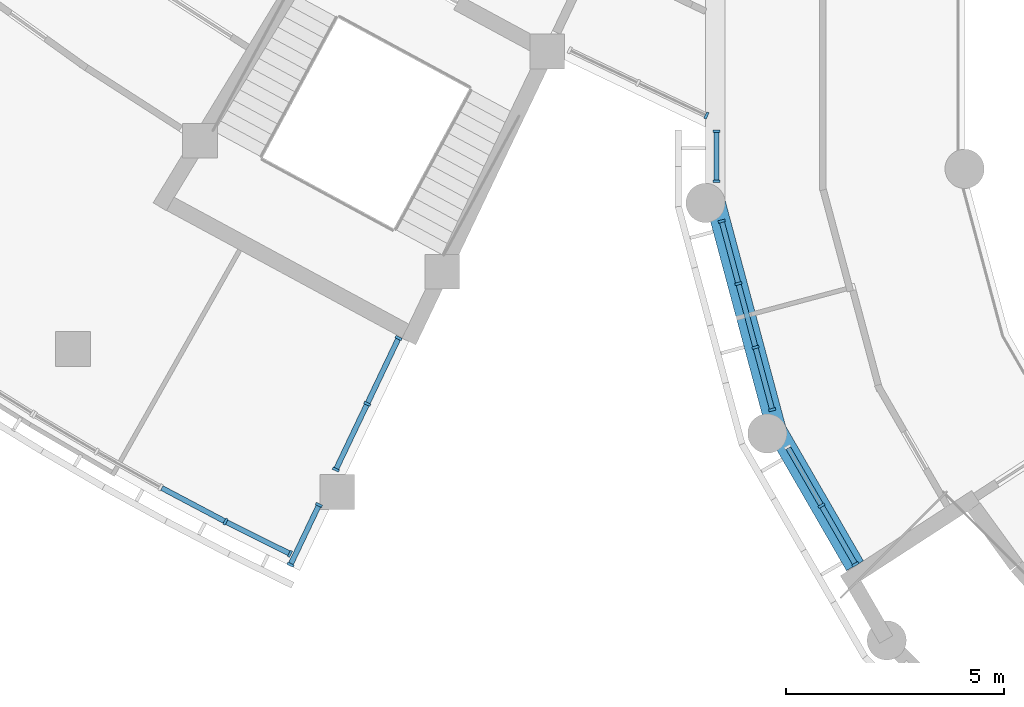
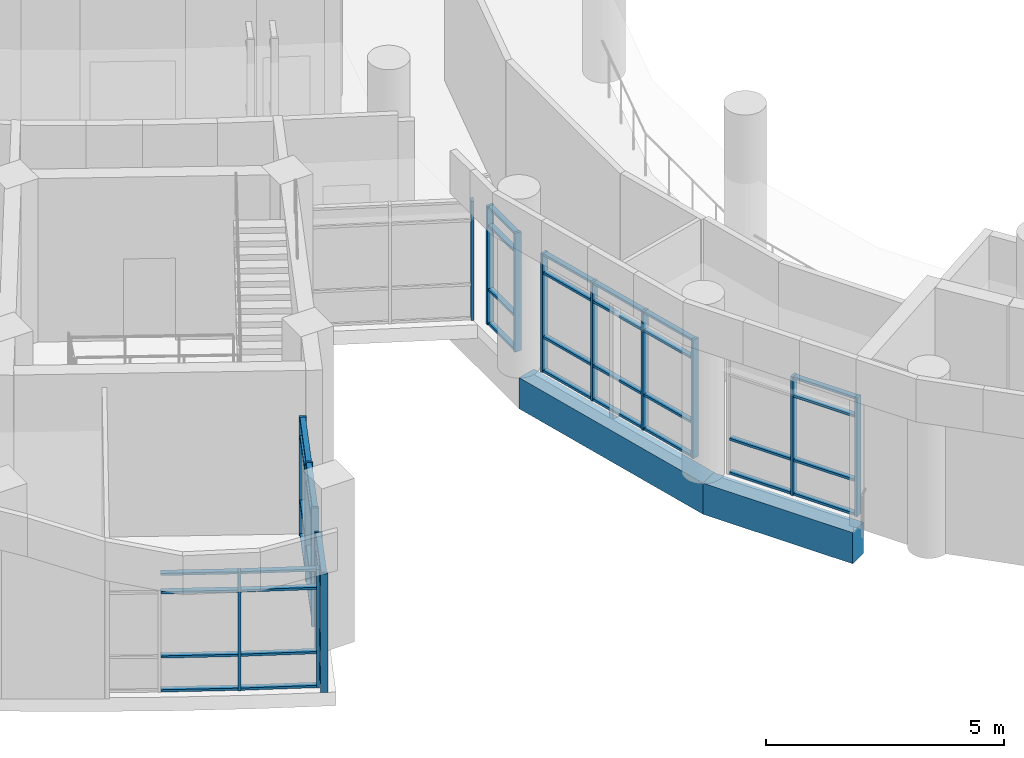
# One storey, part 6 of 109: 58 members, 2 beams, 7 elements without a shape of their own.
"""IFC4 building model written with IfcOpenShell, lengths in metres."""

from ifc_helpers import new_model, si_unit, direction, frame, origin, origin_2d, place, context, subcontext, project, spatial, rectangle, extrude, material, material_profile, profile_set, type_object, element, aggregate, save


model = new_model("IFC4")

# Units and contexts
model_context = context("Model", 3, precision=1e-05, world=origin(), true_north=direction((0.0, 1.0)))
body_context = subcontext(model_context, "Body", "Model", "MODEL_VIEW")
ifc_project = project(units=[si_unit("LENGTHUNIT", "METRE"), si_unit("AREAUNIT", "SQUARE_METRE"), si_unit("VOLUMEUNIT", "CUBIC_METRE"), si_unit("PLANEANGLEUNIT", "RADIAN"), si_unit("MASSUNIT", "GRAM", prefix="KILO")], contexts=[model_context])

# Site, building, storey
site_placement = place(None, origin())
site = spatial("IfcSite", under=ifc_project, at=site_placement, CompositionType="ELEMENT")
building_placement = place(site_placement, origin())
building = spatial("IfcBuilding", under=site, at=building_placement, Name="Bougainvillea Quay General Hospital", CompositionType="ELEMENT")
storey_placement = place(building_placement, frame((0.0, 0.0, 12.60009765625)))
storey = spatial("IfcBuildingStorey", under=building, at=storey_placement, Name="L02", CompositionType="ELEMENT", Elevation=12.60009765625)

# Curtain wall, members
ifc_material_1 = material(Name="Aluminium curtain wall system, powder-coated glazed", Category="aluminium")
curtain_wall_type_1 = type_object("IfcCurtainWallType", Name="Unitised curtain wall CW-2100", PredefinedType="NOTDEFINED", material=ifc_material_1)
curtain_wall_1_placement = place(storey_placement, origin())
curtain_wall_1 = element("IfcCurtainWall", 1, at=curtain_wall_1_placement, inside=storey, type_object=curtain_wall_type_1, Name="CW-W01 a01b0", PredefinedType="NOTDEFINED")
ifc_material_2 = material(Name="Aluminium mullion, powder-coated charcoal", Category="aluminium")
ifc_material_profile_1 = material_profile(ifc_material_2, rectangle(XDim=0.159912109375, YDim=0.06005859375, at=origin_2d()))
ifc_profile_set_1 = profile_set([ifc_material_profile_1], Name="Aluminium mullion, powder-coated charcoal")
member_type_1 = type_object("IfcMemberType", Name="Curtain wall mullion 160x60", PredefinedType="MULLION", material=ifc_profile_set_1)
member_1_placement = place(storey_placement, frame((78.83935546875, 63.204833984375, 0.0), z_axis=(0.0, 0.0, 1.0), x_axis=(-0.445731386172, -0.895166761772, 0.0)))
member_1 = element("IfcMember", 2, at=member_1_placement, type_object=member_type_1, Name="CW-W01 mullion 1", PredefinedType="MULLION", context=body_context, shape_type="SweptSolid", body=[
    extrude(rectangle(XDim=0.159912109375, YDim=0.06005859375, at=origin_2d()), origin(), (0.0, 0.0, 1.0), 3.0498046875),
])
member_2_placement = place(storey_placement, frame((77.358642578125, 63.94189453125, 0.0), z_axis=(0.0, 0.0, 1.0), x_axis=(-0.456505398476, -0.889720642203, 0.0)))
member_2 = element("IfcMember", 3, at=member_2_placement, type_object=member_type_1, Name="CW-W01 mullion 2", PredefinedType="MULLION", context=body_context, shape_type="SweptSolid", body=[
    extrude(rectangle(XDim=0.159912109375, YDim=0.06005859375, at=origin_2d()), origin(), (0.0, 0.0, 1.0), 3.0498046875),
])

curtain_wall_type_2 = type_object("IfcCurtainWallType", Name="Unitised curtain wall CW-1580", PredefinedType="NOTDEFINED", material=ifc_material_1)
curtain_wall_2_placement = place(storey_placement, origin())
curtain_wall_2 = element("IfcCurtainWall", 4, at=curtain_wall_2_placement, inside=storey, type_object=curtain_wall_type_2, Name="CW-AE 00", PredefinedType="NOTDEFINED")
member_3_placement = place(storey_placement, frame((78.851318359375, 62.95361328125, 0.0), z_axis=(0.0, 0.0, 1.0), x_axis=(-0.902576055431, 0.430530445105, 0.0)))
member_3 = element("IfcMember", 5, at=member_3_placement, type_object=member_type_1, Name="CW-AE mullion 1", PredefinedType="MULLION", context=body_context, shape_type="SweptSolid", body=[
    extrude(rectangle(XDim=0.159912109375, YDim=0.06005859375, at=origin_2d()), origin(), (0.0, 0.0, 1.0), 3.0498046875),
])
member_4_placement = place(storey_placement, frame((79.505615234375, 64.325439453125, 0.0), z_axis=(0.0, 0.0, 1.0), x_axis=(-0.902576055431, 0.430530445105, 0.0)))
member_4 = element("IfcMember", 6, at=member_4_placement, type_object=member_type_1, Name="CW-AE mullion 2", PredefinedType="MULLION", context=body_context, shape_type="SweptSolid", body=[
    extrude(rectangle(XDim=0.159912109375, YDim=0.06005859375, at=origin_2d()), origin(), (0.0, 0.0, 1.0), 3.0498046875),
])

curtain_wall_type_3 = type_object("IfcCurtainWallType", Name="Unitised curtain wall CW-1703", PredefinedType="NOTDEFINED", material=ifc_material_1)
curtain_wall_3_placement = place(storey_placement, origin())
curtain_wall_3 = element("IfcCurtainWall", 7, at=curtain_wall_3_placement, inside=storey, type_object=curtain_wall_type_3, Name="CW-AE 01", PredefinedType="NOTDEFINED")
member_5_placement = place(storey_placement, frame((79.89306640625, 65.1376953125, 0.0), z_axis=(0.0, 0.0, 1.0), x_axis=(-0.902576055431, 0.430530445105, 0.0)))
member_5 = element("IfcMember", 8, at=member_5_placement, type_object=member_type_1, Name="CW-AE mullion 1", PredefinedType="MULLION", context=body_context, shape_type="SweptSolid", body=[
    extrude(rectangle(XDim=0.159912109375, YDim=0.06005859375, at=origin_2d()), origin(), (0.0, 0.0, 1.0), 3.0498046875),
])
member_6_placement = place(storey_placement, frame((80.61328125, 66.647705078125, 0.0), z_axis=(0.0, 0.0, 1.0), x_axis=(-0.902576055431, 0.430530445105, 0.0)))
member_6 = element("IfcMember", 9, at=member_6_placement, type_object=member_type_1, Name="CW-AE mullion 2", PredefinedType="MULLION", context=body_context, shape_type="SweptSolid", body=[
    extrude(rectangle(XDim=0.159912109375, YDim=0.06005859375, at=origin_2d()), origin(), (0.0, 0.0, 1.0), 3.0498046875),
])
member_7_placement = place(storey_placement, frame((81.33349609375, 68.157470703125, 0.0), z_axis=(0.0, 0.0, 1.0), x_axis=(-0.902576055431, 0.430530445105, 0.0)))
member_7 = element("IfcMember", 10, at=member_7_placement, type_object=member_type_1, Name="CW-AE mullion 3", PredefinedType="MULLION", context=body_context, shape_type="SweptSolid", body=[
    extrude(rectangle(XDim=0.159912109375, YDim=0.06005859375, at=origin_2d()), origin(), (0.0, 0.0, 1.0), 3.0498046875),
])

# Curtain wall, member
curtain_wall_type_4 = type_object("IfcCurtainWallType", Name="Unitised curtain wall CW-1770", PredefinedType="NOTDEFINED", material=ifc_material_1)
curtain_wall_4_placement = place(storey_placement, origin())
curtain_wall_4 = element("IfcCurtainWall", 11, at=curtain_wall_4_placement, inside=storey, type_object=curtain_wall_type_4, Name="CW-AE 00", PredefinedType="NOTDEFINED")
member_8_placement = place(storey_placement, frame((88.400634765625, 73.267578125, 0.0), z_axis=(0.0, 0.0, 1.0), x_axis=(0.430463026068, 0.902608211345, 0.0)))
member_8 = element("IfcMember", 12, at=member_8_placement, type_object=member_type_1, Name="CW-AE mullion 3", PredefinedType="MULLION", context=body_context, shape_type="SweptSolid", body=[
    extrude(rectangle(XDim=0.159912109375, YDim=0.06005859375, at=origin_2d()), origin(), (0.0, 0.0, 1.0), 3.0498046875),
])
aggregate(curtain_wall_4, [member_8])

# Curtain wall, members
curtain_wall_type_5 = type_object("IfcCurtainWallType", Name="Unitised curtain wall CW-1211", PredefinedType="NOTDEFINED", material=ifc_material_1)
curtain_wall_5_placement = place(storey_placement, origin())
curtain_wall_5 = element("IfcCurtainWall", 13, at=curtain_wall_5_placement, inside=storey, type_object=curtain_wall_type_5, Name="CW-D 00", PredefinedType="NOTDEFINED")
member_9_placement = place(storey_placement, frame((88.6298828125, 72.909912109375, 0.0), z_axis=(0.0, 0.0, 1.0), x_axis=(1.0, 0.0, 0.0)))
member_9 = element("IfcMember", 14, at=member_9_placement, type_object=member_type_1, Name="CW-D mullion 1", PredefinedType="MULLION", context=body_context, shape_type="SweptSolid", body=[
    extrude(rectangle(XDim=0.159912109375, YDim=0.06005859375, at=origin_2d()), origin(), (0.0, 0.0, 1.0), 3.0498046875),
])
member_10_placement = place(storey_placement, frame((88.6298828125, 71.759033203125, 0.0), z_axis=(0.0, 0.0, 1.0), x_axis=(1.0, 0.0, 0.0)))
member_10 = element("IfcMember", 15, at=member_10_placement, type_object=member_type_1, Name="CW-D mullion 2", PredefinedType="MULLION", context=body_context, shape_type="SweptSolid", body=[
    extrude(rectangle(XDim=0.159912109375, YDim=0.06005859375, at=origin_2d()), origin(), (0.0, 0.0, 1.0), 3.0498046875),
])

curtain_wall_type_6 = type_object("IfcCurtainWallType", Name="Unitised curtain wall CW-1514", PredefinedType="NOTDEFINED", material=ifc_material_1)
curtain_wall_6_placement = place(storey_placement, origin())
curtain_wall_6 = element("IfcCurtainWall", 16, at=curtain_wall_6_placement, inside=storey, type_object=curtain_wall_type_6, Name="CW-D 00", PredefinedType="NOTDEFINED")
member_11_placement = place(storey_placement, frame((88.7509765625, 70.8408203125, 0.0), z_axis=(0.0, 0.0, 1.0), x_axis=(0.965916292974, 0.258854621298, 0.0)))
member_11 = element("IfcMember", 17, at=member_11_placement, type_object=member_type_1, Name="CW-D mullion 1", PredefinedType="MULLION", context=body_context, shape_type="SweptSolid", body=[
    extrude(rectangle(XDim=0.159912109375, YDim=0.06005859375, at=origin_2d()), origin(), (0.0, 0.0, 1.0), 3.0498046875),
])
member_12_placement = place(storey_placement, frame((89.135009765625, 69.407470703125, 0.0), z_axis=(0.0, 0.0, 1.0), x_axis=(0.965916292974, 0.258854621298, 0.0)))
member_12 = element("IfcMember", 18, at=member_12_placement, type_object=member_type_1, Name="CW-D mullion 2", PredefinedType="MULLION", context=body_context, shape_type="SweptSolid", body=[
    extrude(rectangle(XDim=0.159912109375, YDim=0.06005859375, at=origin_2d()), origin(), (0.0, 0.0, 1.0), 3.0498046875),
])
member_13_placement = place(storey_placement, frame((89.52685546875, 67.945068359375, 0.0), z_axis=(0.0, 0.0, 1.0), x_axis=(0.965916292974, 0.258854621298, 0.0)))
member_13 = element("IfcMember", 19, at=member_13_placement, type_object=member_type_1, Name="CW-D mullion 3", PredefinedType="MULLION", context=body_context, shape_type="SweptSolid", body=[
    extrude(rectangle(XDim=0.159912109375, YDim=0.06005859375, at=origin_2d()), origin(), (0.0, 0.0, 1.0), 3.0498046875),
])
member_14_placement = place(storey_placement, frame((89.9111328125, 66.51171875, 0.0), z_axis=(0.0, 0.0, 1.0), x_axis=(0.965916292974, 0.258854621298, 0.0)))
member_14 = element("IfcMember", 20, at=member_14_placement, type_object=member_type_1, Name="CW-D mullion 4", PredefinedType="MULLION", context=body_context, shape_type="SweptSolid", body=[
    extrude(rectangle(XDim=0.159912109375, YDim=0.06005859375, at=origin_2d()), origin(), (0.0, 0.0, 1.0), 3.0498046875),
])

curtain_wall_type_7 = type_object("IfcCurtainWallType", Name="Unitised curtain wall CW-1585", PredefinedType="NOTDEFINED", material=ifc_material_1)
curtain_wall_7_placement = place(storey_placement, origin())
curtain_wall_7 = element("IfcCurtainWall", 21, at=curtain_wall_7_placement, inside=storey, type_object=curtain_wall_type_7, Name="CW-D 00", PredefinedType="NOTDEFINED")
member_15_placement = place(storey_placement, frame((91.04296875, 64.309326171875, 0.0), z_axis=(0.0, 0.0, 1.0), x_axis=(0.866045865692, 0.499964557262, 0.0)))
member_15 = element("IfcMember", 22, at=member_15_placement, type_object=member_type_1, Name="CW-D mullion 2", PredefinedType="MULLION", context=body_context, shape_type="SweptSolid", body=[
    extrude(rectangle(XDim=0.159912109375, YDim=0.06005859375, at=origin_2d()), origin(), (0.0, 0.0, 1.0), 3.0498046875),
])
member_16_placement = place(storey_placement, frame((91.8203125, 62.962646484375, 0.0), z_axis=(0.0, 0.0, 1.0), x_axis=(0.866045865692, 0.499964557262, 0.0)))
member_16 = element("IfcMember", 23, at=member_16_placement, type_object=member_type_1, Name="CW-D mullion 3", PredefinedType="MULLION", context=body_context, shape_type="SweptSolid", body=[
    extrude(rectangle(XDim=0.159912109375, YDim=0.06005859375, at=origin_2d()), origin(), (0.0, 0.0, 1.0), 3.0498046875),
])

# Member
ifc_material_3 = material(Name="Aluminium transom, powder-coated charcoal", Category="aluminium")
ifc_material_profile_2 = material_profile(ifc_material_3, rectangle(XDim=0.1201171875, YDim=0.06005859375, at=origin_2d()))
ifc_profile_set_2 = profile_set([ifc_material_profile_2], Name="Aluminium transom, powder-coated charcoal")
member_type_2 = type_object("IfcMemberType", Name="Curtain wall transom 120x60", PredefinedType="USERDEFINED", material=ifc_profile_set_2)
member_17_placement = place(storey_placement, frame((78.8125, 63.218017578125, 0.02978515625), z_axis=(-0.895130546745, 0.445804109765, 0.0), x_axis=(-0.445804109765, -0.895130546745, 0.0)))
member_17 = element("IfcMember", 24, at=member_17_placement, type_object=member_type_2, Name="CW-W01 transom 1.1", ObjectType="TRANSOM", PredefinedType="USERDEFINED", context=body_context, shape_type="SweptSolid", body=[
    extrude(rectangle(XDim=0.1201171875, YDim=0.06005859375, at=origin_2d()), origin(), (0.0, 0.0, 1.0), 1.59423828125),
])

member_18_placement = place(storey_placement, frame((78.8125, 63.218017578125, 0.89990234375), z_axis=(-0.895130546745, 0.445804109765, 0.0), x_axis=(-0.445804109765, -0.895130546745, 0.0)))
member_18 = element("IfcMember", 25, at=member_18_placement, type_object=member_type_2, Name="CW-W01 transom 1.2", ObjectType="TRANSOM", PredefinedType="USERDEFINED", context=body_context, shape_type="SweptSolid", body=[
    extrude(rectangle(XDim=0.1201171875, YDim=0.06005859375, at=origin_2d()), origin(), (0.0, 0.0, 1.0), 1.59423828125),
])

member_19_placement = place(storey_placement, frame((78.8125, 63.218017578125, 2.5498046875), z_axis=(-0.895130546745, 0.445804109765, 0.0), x_axis=(-0.445804109765, -0.895130546745, 0.0)))
member_19 = element("IfcMember", 26, at=member_19_placement, type_object=member_type_2, Name="CW-W01 transom 1.3", ObjectType="TRANSOM", PredefinedType="USERDEFINED", context=body_context, shape_type="SweptSolid", body=[
    extrude(rectangle(XDim=0.1201171875, YDim=0.06005859375, at=origin_2d()), origin(), (0.0, 0.0, 1.0), 1.59423828125),
])

member_20_placement = place(storey_placement, frame((78.8125, 63.218017578125, 3.02001953125), z_axis=(-0.895130546745, 0.445804109765, 0.0), x_axis=(-0.445804109765, -0.895130546745, 0.0)))
member_20 = element("IfcMember", 27, at=member_20_placement, type_object=member_type_2, Name="CW-W01 transom 1.4", ObjectType="TRANSOM", PredefinedType="USERDEFINED", context=body_context, shape_type="SweptSolid", body=[
    extrude(rectangle(XDim=0.1201171875, YDim=0.06005859375, at=origin_2d()), origin(), (0.0, 0.0, 1.0), 1.59423828125),
])

member_21_placement = place(storey_placement, frame((77.332275390625, 63.9560546875, 0.02978515625), z_axis=(-0.884160582564, 0.46718311639, 0.0), x_axis=(-0.46718311639, -0.884160582564, 0.0)))
member_21 = element("IfcMember", 28, at=member_21_placement, type_object=member_type_2, Name="CW-W01 transom 2.1", ObjectType="TRANSOM", PredefinedType="USERDEFINED", context=body_context, shape_type="SweptSolid", body=[
    extrude(rectangle(XDim=0.1201171875, YDim=0.06005859375, at=origin_2d()), origin(), (0.0, 0.0, 1.0), 1.624267578125),
])

member_22_placement = place(storey_placement, frame((77.332275390625, 63.9560546875, 0.89990234375), z_axis=(-0.884160582564, 0.46718311639, 0.0), x_axis=(-0.46718311639, -0.884160582564, 0.0)))
member_22 = element("IfcMember", 29, at=member_22_placement, type_object=member_type_2, Name="CW-W01 transom 2.2", ObjectType="TRANSOM", PredefinedType="USERDEFINED", context=body_context, shape_type="SweptSolid", body=[
    extrude(rectangle(XDim=0.1201171875, YDim=0.06005859375, at=origin_2d()), origin(), (0.0, 0.0, 1.0), 1.624267578125),
])

member_23_placement = place(storey_placement, frame((77.332275390625, 63.9560546875, 2.5498046875), z_axis=(-0.884160582564, 0.46718311639, 0.0), x_axis=(-0.46718311639, -0.884160582564, 0.0)))
member_23 = element("IfcMember", 30, at=member_23_placement, type_object=member_type_2, Name="CW-W01 transom 2.3", ObjectType="TRANSOM", PredefinedType="USERDEFINED", context=body_context, shape_type="SweptSolid", body=[
    extrude(rectangle(XDim=0.1201171875, YDim=0.06005859375, at=origin_2d()), origin(), (0.0, 0.0, 1.0), 1.624267578125),
])

member_24_placement = place(storey_placement, frame((77.332275390625, 63.9560546875, 3.02001953125), z_axis=(-0.884160582564, 0.46718311639, 0.0), x_axis=(-0.46718311639, -0.884160582564, 0.0)))
member_24 = element("IfcMember", 31, at=member_24_placement, type_object=member_type_2, Name="CW-W01 transom 2.4", ObjectType="TRANSOM", PredefinedType="USERDEFINED", context=body_context, shape_type="SweptSolid", body=[
    extrude(rectangle(XDim=0.1201171875, YDim=0.06005859375, at=origin_2d()), origin(), (0.0, 0.0, 1.0), 1.624267578125),
])

aggregate(curtain_wall_1, [member_1, member_2, member_17, member_18, member_19, member_20, member_21, member_22, member_23, member_24])

member_25_placement = place(storey_placement, frame((78.8642578125, 62.980712890625, 0.02978515625), z_axis=(0.430478813346, 0.902600682063, 0.0), x_axis=(-0.902600682063, 0.430478813346, 0.0)))
member_25 = element("IfcMember", 32, at=member_25_placement, type_object=member_type_2, Name="CW-AE transom 1.1", ObjectType="TRANSOM", PredefinedType="USERDEFINED", context=body_context, shape_type="SweptSolid", body=[
    extrude(rectangle(XDim=0.1201171875, YDim=0.06005859375, at=origin_2d()), origin(), (0.0, 0.0, 1.0), 1.459716796875),
])

member_26_placement = place(storey_placement, frame((78.8642578125, 62.980712890625, 0.89990234375), z_axis=(0.430478813346, 0.902600682063, 0.0), x_axis=(-0.902600682063, 0.430478813346, 0.0)))
member_26 = element("IfcMember", 33, at=member_26_placement, type_object=member_type_2, Name="CW-AE transom 1.2", ObjectType="TRANSOM", PredefinedType="USERDEFINED", context=body_context, shape_type="SweptSolid", body=[
    extrude(rectangle(XDim=0.1201171875, YDim=0.06005859375, at=origin_2d()), origin(), (0.0, 0.0, 1.0), 1.459716796875),
])

member_27_placement = place(storey_placement, frame((78.8642578125, 62.980712890625, 2.5498046875), z_axis=(0.430478813346, 0.902600682063, 0.0), x_axis=(-0.902600682063, 0.430478813346, 0.0)))
member_27 = element("IfcMember", 34, at=member_27_placement, type_object=member_type_2, Name="CW-AE transom 1.3", ObjectType="TRANSOM", PredefinedType="USERDEFINED", context=body_context, shape_type="SweptSolid", body=[
    extrude(rectangle(XDim=0.1201171875, YDim=0.06005859375, at=origin_2d()), origin(), (0.0, 0.0, 1.0), 1.459716796875),
])

member_28_placement = place(storey_placement, frame((78.8642578125, 62.980712890625, 3.02001953125), z_axis=(0.430478813346, 0.902600682063, 0.0), x_axis=(-0.902600682063, 0.430478813346, 0.0)))
member_28 = element("IfcMember", 35, at=member_28_placement, type_object=member_type_2, Name="CW-AE transom 1.4", ObjectType="TRANSOM", PredefinedType="USERDEFINED", context=body_context, shape_type="SweptSolid", body=[
    extrude(rectangle(XDim=0.1201171875, YDim=0.06005859375, at=origin_2d()), origin(), (0.0, 0.0, 1.0), 1.459716796875),
])

aggregate(curtain_wall_2, [member_3, member_4, member_25, member_26, member_27, member_28])

member_29_placement = place(storey_placement, frame((79.906005859375, 65.164794921875, 0.02978515625), z_axis=(0.430485805142, 0.902597347421, 0.0), x_axis=(-0.902597347421, 0.430485805142, 0.0)))
member_29 = element("IfcMember", 36, at=member_29_placement, type_object=member_type_2, Name="CW-AE transom 1.1", ObjectType="TRANSOM", PredefinedType="USERDEFINED", context=body_context, shape_type="SweptSolid", body=[
    extrude(rectangle(XDim=0.1201171875, YDim=0.06005859375, at=origin_2d()), origin(), (0.0, 0.0, 1.0), 1.61279296875),
])

member_30_placement = place(storey_placement, frame((79.906005859375, 65.164794921875, 0.89990234375), z_axis=(0.430485805142, 0.902597347421, 0.0), x_axis=(-0.902597347421, 0.430485805142, 0.0)))
member_30 = element("IfcMember", 37, at=member_30_placement, type_object=member_type_2, Name="CW-AE transom 1.2", ObjectType="TRANSOM", PredefinedType="USERDEFINED", context=body_context, shape_type="SweptSolid", body=[
    extrude(rectangle(XDim=0.1201171875, YDim=0.06005859375, at=origin_2d()), origin(), (0.0, 0.0, 1.0), 1.61279296875),
])

member_31_placement = place(storey_placement, frame((79.906005859375, 65.164794921875, 2.5498046875), z_axis=(0.430485805142, 0.902597347421, 0.0), x_axis=(-0.902597347421, 0.430485805142, 0.0)))
member_31 = element("IfcMember", 38, at=member_31_placement, type_object=member_type_2, Name="CW-AE transom 1.3", ObjectType="TRANSOM", PredefinedType="USERDEFINED", context=body_context, shape_type="SweptSolid", body=[
    extrude(rectangle(XDim=0.1201171875, YDim=0.06005859375, at=origin_2d()), origin(), (0.0, 0.0, 1.0), 1.61279296875),
])

member_32_placement = place(storey_placement, frame((79.906005859375, 65.164794921875, 3.02001953125), z_axis=(0.430485805142, 0.902597347421, 0.0), x_axis=(-0.902597347421, 0.430485805142, 0.0)))
member_32 = element("IfcMember", 39, at=member_32_placement, type_object=member_type_2, Name="CW-AE transom 1.4", ObjectType="TRANSOM", PredefinedType="USERDEFINED", context=body_context, shape_type="SweptSolid", body=[
    extrude(rectangle(XDim=0.1201171875, YDim=0.06005859375, at=origin_2d()), origin(), (0.0, 0.0, 1.0), 1.61279296875),
])

member_33_placement = place(storey_placement, frame((80.626220703125, 66.6748046875, 0.02978515625), z_axis=(0.430544626456, 0.902569290764, 0.0), x_axis=(-0.902569290764, 0.430544626456, 0.0)))
member_33 = element("IfcMember", 40, at=member_33_placement, type_object=member_type_2, Name="CW-AE transom 2.1", ObjectType="TRANSOM", PredefinedType="USERDEFINED", context=body_context, shape_type="SweptSolid", body=[
    extrude(rectangle(XDim=0.1201171875, YDim=0.06005859375, at=origin_2d()), origin(), (0.0, 0.0, 1.0), 1.61279296875),
])

member_34_placement = place(storey_placement, frame((80.626220703125, 66.6748046875, 0.89990234375), z_axis=(0.430544626456, 0.902569290764, 0.0), x_axis=(-0.902569290764, 0.430544626456, 0.0)))
member_34 = element("IfcMember", 41, at=member_34_placement, type_object=member_type_2, Name="CW-AE transom 2.2", ObjectType="TRANSOM", PredefinedType="USERDEFINED", context=body_context, shape_type="SweptSolid", body=[
    extrude(rectangle(XDim=0.1201171875, YDim=0.06005859375, at=origin_2d()), origin(), (0.0, 0.0, 1.0), 1.61279296875),
])

member_35_placement = place(storey_placement, frame((80.626220703125, 66.6748046875, 2.5498046875), z_axis=(0.430544626456, 0.902569290764, 0.0), x_axis=(-0.902569290764, 0.430544626456, 0.0)))
member_35 = element("IfcMember", 42, at=member_35_placement, type_object=member_type_2, Name="CW-AE transom 2.3", ObjectType="TRANSOM", PredefinedType="USERDEFINED", context=body_context, shape_type="SweptSolid", body=[
    extrude(rectangle(XDim=0.1201171875, YDim=0.06005859375, at=origin_2d()), origin(), (0.0, 0.0, 1.0), 1.61279296875),
])

member_36_placement = place(storey_placement, frame((80.626220703125, 66.6748046875, 3.02001953125), z_axis=(0.430544626456, 0.902569290764, 0.0), x_axis=(-0.902569290764, 0.430544626456, 0.0)))
member_36 = element("IfcMember", 43, at=member_36_placement, type_object=member_type_2, Name="CW-AE transom 2.4", ObjectType="TRANSOM", PredefinedType="USERDEFINED", context=body_context, shape_type="SweptSolid", body=[
    extrude(rectangle(XDim=0.1201171875, YDim=0.06005859375, at=origin_2d()), origin(), (0.0, 0.0, 1.0), 1.61279296875),
])

aggregate(curtain_wall_3, [member_5, member_6, member_7, member_29, member_30, member_31, member_32, member_33, member_34, member_35, member_36])

member_37_placement = place(storey_placement, frame((88.6298828125, 72.8798828125, 0.02978515625), z_axis=(0.0, -1.0, 0.0), x_axis=(1.0, 0.0, 0.0)))
member_37 = element("IfcMember", 44, at=member_37_placement, type_object=member_type_2, Name="CW-D transom 1.1", ObjectType="TRANSOM", PredefinedType="USERDEFINED", context=body_context, shape_type="SweptSolid", body=[
    extrude(rectangle(XDim=0.1201171875, YDim=0.06005859375, at=origin_2d()), origin(), (0.0, 0.0, 1.0), 1.0908203125),
])

member_38_placement = place(storey_placement, frame((88.6298828125, 72.8798828125, 0.89990234375), z_axis=(0.0, -1.0, 0.0), x_axis=(1.0, 0.0, 0.0)))
member_38 = element("IfcMember", 45, at=member_38_placement, type_object=member_type_2, Name="CW-D transom 1.2", ObjectType="TRANSOM", PredefinedType="USERDEFINED", context=body_context, shape_type="SweptSolid", body=[
    extrude(rectangle(XDim=0.1201171875, YDim=0.06005859375, at=origin_2d()), origin(), (0.0, 0.0, 1.0), 1.0908203125),
])

member_39_placement = place(storey_placement, frame((88.6298828125, 72.8798828125, 2.5498046875), z_axis=(0.0, -1.0, 0.0), x_axis=(1.0, 0.0, 0.0)))
member_39 = element("IfcMember", 46, at=member_39_placement, type_object=member_type_2, Name="CW-D transom 1.3", ObjectType="TRANSOM", PredefinedType="USERDEFINED", context=body_context, shape_type="SweptSolid", body=[
    extrude(rectangle(XDim=0.1201171875, YDim=0.06005859375, at=origin_2d()), origin(), (0.0, 0.0, 1.0), 1.0908203125),
])

member_40_placement = place(storey_placement, frame((88.6298828125, 72.8798828125, 3.02001953125), z_axis=(0.0, -1.0, 0.0), x_axis=(1.0, 0.0, 0.0)))
member_40 = element("IfcMember", 47, at=member_40_placement, type_object=member_type_2, Name="CW-D transom 1.4", ObjectType="TRANSOM", PredefinedType="USERDEFINED", context=body_context, shape_type="SweptSolid", body=[
    extrude(rectangle(XDim=0.1201171875, YDim=0.06005859375, at=origin_2d()), origin(), (0.0, 0.0, 1.0), 1.0908203125),
])

aggregate(curtain_wall_5, [member_9, member_10, member_37, member_38, member_39, member_40])

member_41_placement = place(storey_placement, frame((88.7587890625, 70.811767578125, 0.02978515625), z_axis=(0.258718945225, -0.965952642411, 0.0), x_axis=(0.965952642411, 0.258718945225, 0.0)))
member_41 = element("IfcMember", 48, at=member_41_placement, type_object=member_type_2, Name="CW-D transom 1.1", ObjectType="TRANSOM", PredefinedType="USERDEFINED", context=body_context, shape_type="SweptSolid", body=[
    extrude(rectangle(XDim=0.1201171875, YDim=0.06005859375, at=origin_2d()), origin(), (0.0, 0.0, 1.0), 1.424072265625),
])

member_42_placement = place(storey_placement, frame((88.7587890625, 70.811767578125, 0.89990234375), z_axis=(0.258718945225, -0.965952642411, 0.0), x_axis=(0.965952642411, 0.258718945225, 0.0)))
member_42 = element("IfcMember", 49, at=member_42_placement, type_object=member_type_2, Name="CW-D transom 1.2", ObjectType="TRANSOM", PredefinedType="USERDEFINED", context=body_context, shape_type="SweptSolid", body=[
    extrude(rectangle(XDim=0.1201171875, YDim=0.06005859375, at=origin_2d()), origin(), (0.0, 0.0, 1.0), 1.424072265625),
])

member_43_placement = place(storey_placement, frame((88.7587890625, 70.811767578125, 2.5498046875), z_axis=(0.258718945225, -0.965952642411, 0.0), x_axis=(0.965952642411, 0.258718945225, 0.0)))
member_43 = element("IfcMember", 50, at=member_43_placement, type_object=member_type_2, Name="CW-D transom 1.3", ObjectType="TRANSOM", PredefinedType="USERDEFINED", context=body_context, shape_type="SweptSolid", body=[
    extrude(rectangle(XDim=0.1201171875, YDim=0.06005859375, at=origin_2d()), origin(), (0.0, 0.0, 1.0), 1.424072265625),
])

member_44_placement = place(storey_placement, frame((88.7587890625, 70.811767578125, 3.02001953125), z_axis=(0.258718945225, -0.965952642411, 0.0), x_axis=(0.965952642411, 0.258718945225, 0.0)))
member_44 = element("IfcMember", 51, at=member_44_placement, type_object=member_type_2, Name="CW-D transom 1.4", ObjectType="TRANSOM", PredefinedType="USERDEFINED", context=body_context, shape_type="SweptSolid", body=[
    extrude(rectangle(XDim=0.1201171875, YDim=0.06005859375, at=origin_2d()), origin(), (0.0, 0.0, 1.0), 1.424072265625),
])

member_45_placement = place(storey_placement, frame((89.142822265625, 69.37841796875, 0.02978515625), z_axis=(0.258780853081, -0.965936059001, 0.0), x_axis=(0.965936059001, 0.258780853081, 0.0)))
member_45 = element("IfcMember", 52, at=member_45_placement, type_object=member_type_2, Name="CW-D transom 2.1", ObjectType="TRANSOM", PredefinedType="USERDEFINED", context=body_context, shape_type="SweptSolid", body=[
    extrude(rectangle(XDim=0.1201171875, YDim=0.06005859375, at=origin_2d()), origin(), (0.0, 0.0, 1.0), 1.453857421875),
])

member_46_placement = place(storey_placement, frame((89.142822265625, 69.37841796875, 0.89990234375), z_axis=(0.258780853081, -0.965936059001, 0.0), x_axis=(0.965936059001, 0.258780853081, 0.0)))
member_46 = element("IfcMember", 53, at=member_46_placement, type_object=member_type_2, Name="CW-D transom 2.2", ObjectType="TRANSOM", PredefinedType="USERDEFINED", context=body_context, shape_type="SweptSolid", body=[
    extrude(rectangle(XDim=0.1201171875, YDim=0.06005859375, at=origin_2d()), origin(), (0.0, 0.0, 1.0), 1.453857421875),
])

member_47_placement = place(storey_placement, frame((89.142822265625, 69.37841796875, 2.5498046875), z_axis=(0.258780853081, -0.965936059001, 0.0), x_axis=(0.965936059001, 0.258780853081, 0.0)))
member_47 = element("IfcMember", 54, at=member_47_placement, type_object=member_type_2, Name="CW-D transom 2.3", ObjectType="TRANSOM", PredefinedType="USERDEFINED", context=body_context, shape_type="SweptSolid", body=[
    extrude(rectangle(XDim=0.1201171875, YDim=0.06005859375, at=origin_2d()), origin(), (0.0, 0.0, 1.0), 1.453857421875),
])

member_48_placement = place(storey_placement, frame((89.142822265625, 69.37841796875, 3.02001953125), z_axis=(0.258780853081, -0.965936059001, 0.0), x_axis=(0.965936059001, 0.258780853081, 0.0)))
member_48 = element("IfcMember", 55, at=member_48_placement, type_object=member_type_2, Name="CW-D transom 2.4", ObjectType="TRANSOM", PredefinedType="USERDEFINED", context=body_context, shape_type="SweptSolid", body=[
    extrude(rectangle(XDim=0.1201171875, YDim=0.06005859375, at=origin_2d()), origin(), (0.0, 0.0, 1.0), 1.453857421875),
])

member_49_placement = place(storey_placement, frame((89.53466796875, 67.916015625, 0.02978515625), z_axis=(0.258878909043, -0.965909783806, 0.0), x_axis=(0.965909783806, 0.258878909043, 0.0)))
member_49 = element("IfcMember", 56, at=member_49_placement, type_object=member_type_2, Name="CW-D transom 3.1", ObjectType="TRANSOM", PredefinedType="USERDEFINED", context=body_context, shape_type="SweptSolid", body=[
    extrude(rectangle(XDim=0.1201171875, YDim=0.06005859375, at=origin_2d()), origin(), (0.0, 0.0, 1.0), 1.424072265625),
])

member_50_placement = place(storey_placement, frame((89.53466796875, 67.916015625, 0.89990234375), z_axis=(0.258878909043, -0.965909783806, 0.0), x_axis=(0.965909783806, 0.258878909043, 0.0)))
member_50 = element("IfcMember", 57, at=member_50_placement, type_object=member_type_2, Name="CW-D transom 3.2", ObjectType="TRANSOM", PredefinedType="USERDEFINED", context=body_context, shape_type="SweptSolid", body=[
    extrude(rectangle(XDim=0.1201171875, YDim=0.06005859375, at=origin_2d()), origin(), (0.0, 0.0, 1.0), 1.424072265625),
])

member_51_placement = place(storey_placement, frame((89.53466796875, 67.916015625, 2.5498046875), z_axis=(0.258878909043, -0.965909783806, 0.0), x_axis=(0.965909783806, 0.258878909043, 0.0)))
member_51 = element("IfcMember", 58, at=member_51_placement, type_object=member_type_2, Name="CW-D transom 3.3", ObjectType="TRANSOM", PredefinedType="USERDEFINED", context=body_context, shape_type="SweptSolid", body=[
    extrude(rectangle(XDim=0.1201171875, YDim=0.06005859375, at=origin_2d()), origin(), (0.0, 0.0, 1.0), 1.424072265625),
])

member_52_placement = place(storey_placement, frame((89.53466796875, 67.916015625, 3.02001953125), z_axis=(0.258878909043, -0.965909783806, 0.0), x_axis=(0.965909783806, 0.258878909043, 0.0)))
member_52 = element("IfcMember", 59, at=member_52_placement, type_object=member_type_2, Name="CW-D transom 3.4", ObjectType="TRANSOM", PredefinedType="USERDEFINED", context=body_context, shape_type="SweptSolid", body=[
    extrude(rectangle(XDim=0.1201171875, YDim=0.06005859375, at=origin_2d()), origin(), (0.0, 0.0, 1.0), 1.424072265625),
])

aggregate(curtain_wall_6, [member_11, member_12, member_13, member_14, member_41, member_42, member_43, member_44, member_45, member_46, member_47, member_48, member_49, member_50, member_51, member_52])

member_53_placement = place(storey_placement, frame((90.280517578125, 65.6298828125, 0.02978515625), z_axis=(0.499986386223, -0.866033263559, 0.0), x_axis=(0.866033263559, 0.499986386223, 0.0)))
member_53 = element("IfcMember", 60, at=member_53_placement, type_object=member_type_2, Name="CW-D transom 1.1", ObjectType="TRANSOM", PredefinedType="USERDEFINED", context=body_context, shape_type="SweptSolid", body=[
    extrude(rectangle(XDim=0.1201171875, YDim=0.06005859375, at=origin_2d()), origin(), (0.0, 0.0, 1.0), 1.49462890625),
])

member_54_placement = place(storey_placement, frame((90.280517578125, 65.6298828125, 0.89990234375), z_axis=(0.499986386223, -0.866033263559, 0.0), x_axis=(0.866033263559, 0.499986386223, 0.0)))
member_54 = element("IfcMember", 61, at=member_54_placement, type_object=member_type_2, Name="CW-D transom 1.2", ObjectType="TRANSOM", PredefinedType="USERDEFINED", context=body_context, shape_type="SweptSolid", body=[
    extrude(rectangle(XDim=0.1201171875, YDim=0.06005859375, at=origin_2d()), origin(), (0.0, 0.0, 1.0), 1.49462890625),
])

member_55_placement = place(storey_placement, frame((91.057861328125, 64.283447265625, 0.02978515625), z_axis=(0.499915667175, -0.866074087889, 0.0), x_axis=(0.866074087889, 0.499915667175, 0.0)))
member_55 = element("IfcMember", 62, at=member_55_placement, type_object=member_type_2, Name="CW-D transom 2.1", ObjectType="TRANSOM", PredefinedType="USERDEFINED", context=body_context, shape_type="SweptSolid", body=[
    extrude(rectangle(XDim=0.1201171875, YDim=0.06005859375, at=origin_2d()), origin(), (0.0, 0.0, 1.0), 1.494873046875),
])

member_56_placement = place(storey_placement, frame((91.057861328125, 64.283447265625, 0.89990234375), z_axis=(0.499915667175, -0.866074087889, 0.0), x_axis=(0.866074087889, 0.499915667175, 0.0)))
member_56 = element("IfcMember", 63, at=member_56_placement, type_object=member_type_2, Name="CW-D transom 2.2", ObjectType="TRANSOM", PredefinedType="USERDEFINED", context=body_context, shape_type="SweptSolid", body=[
    extrude(rectangle(XDim=0.1201171875, YDim=0.06005859375, at=origin_2d()), origin(), (0.0, 0.0, 1.0), 1.494873046875),
])

member_57_placement = place(storey_placement, frame((91.057861328125, 64.283447265625, 2.5498046875), z_axis=(0.499915667175, -0.866074087889, 0.0), x_axis=(0.866074087889, 0.499915667175, 0.0)))
member_57 = element("IfcMember", 64, at=member_57_placement, type_object=member_type_2, Name="CW-D transom 2.3", ObjectType="TRANSOM", PredefinedType="USERDEFINED", context=body_context, shape_type="SweptSolid", body=[
    extrude(rectangle(XDim=0.1201171875, YDim=0.06005859375, at=origin_2d()), origin(), (0.0, 0.0, 1.0), 1.494873046875),
])

member_58_placement = place(storey_placement, frame((91.057861328125, 64.283447265625, 3.02001953125), z_axis=(0.499915667175, -0.866074087889, 0.0), x_axis=(0.866074087889, 0.499915667175, 0.0)))
member_58 = element("IfcMember", 65, at=member_58_placement, type_object=member_type_2, Name="CW-D transom 2.4", ObjectType="TRANSOM", PredefinedType="USERDEFINED", context=body_context, shape_type="SweptSolid", body=[
    extrude(rectangle(XDim=0.1201171875, YDim=0.06005859375, at=origin_2d()), origin(), (0.0, 0.0, 1.0), 1.494873046875),
])

aggregate(curtain_wall_7, [member_15, member_16, member_53, member_54, member_55, member_56, member_57, member_58])

# Beams
ifc_material_4 = material(Name="Concrete C40", Category="concrete")
ifc_material_profile_3 = material_profile(ifc_material_4, rectangle(XDim=0.449951171875, YDim=0.800048828125, at=origin_2d()))
ifc_profile_set_3 = profile_set([ifc_material_profile_3], Name="Concrete C40")
beam_type = type_object("IfcBeamType", Name="RC BEAM 450x800 C40", PredefinedType="BEAM", material=ifc_profile_set_3)
beam_1_placement = place(storey_placement, frame((88.597412109375, 71.317138671875, -0.7001953125), z_axis=(0.258848876884, -0.965917832393, 0.0), x_axis=(0.965917832393, 0.258848876884, 0.0)))
element("IfcBeam", 66, at=beam_1_placement, inside=storey, type_object=beam_type, Name="Edge beam L02", PredefinedType="BEAM", context=body_context, shape_type="SweptSolid", body=[
    extrude(rectangle(XDim=0.449951171875, YDim=0.800048828125, at=origin_2d()), origin(), (0.0, 0.0, 1.0), 5.481689453125),
])
beam_2_placement = place(storey_placement, frame((89.993896484375, 66.076416015625, -0.7001953125), z_axis=(0.499976434558, -0.866039008871, 0.0), x_axis=(0.866039008871, 0.499976434558, 0.0)))
element("IfcBeam", 67, at=beam_2_placement, inside=storey, type_object=beam_type, Name="Edge beam L02", PredefinedType="BEAM", context=body_context, shape_type="SweptSolid", body=[
    extrude(rectangle(XDim=0.449951171875, YDim=0.800048828125, at=origin_2d()), origin(), (0.0, 0.0, 1.0), 3.633544921875),
])

save(model, "model.ifc")
